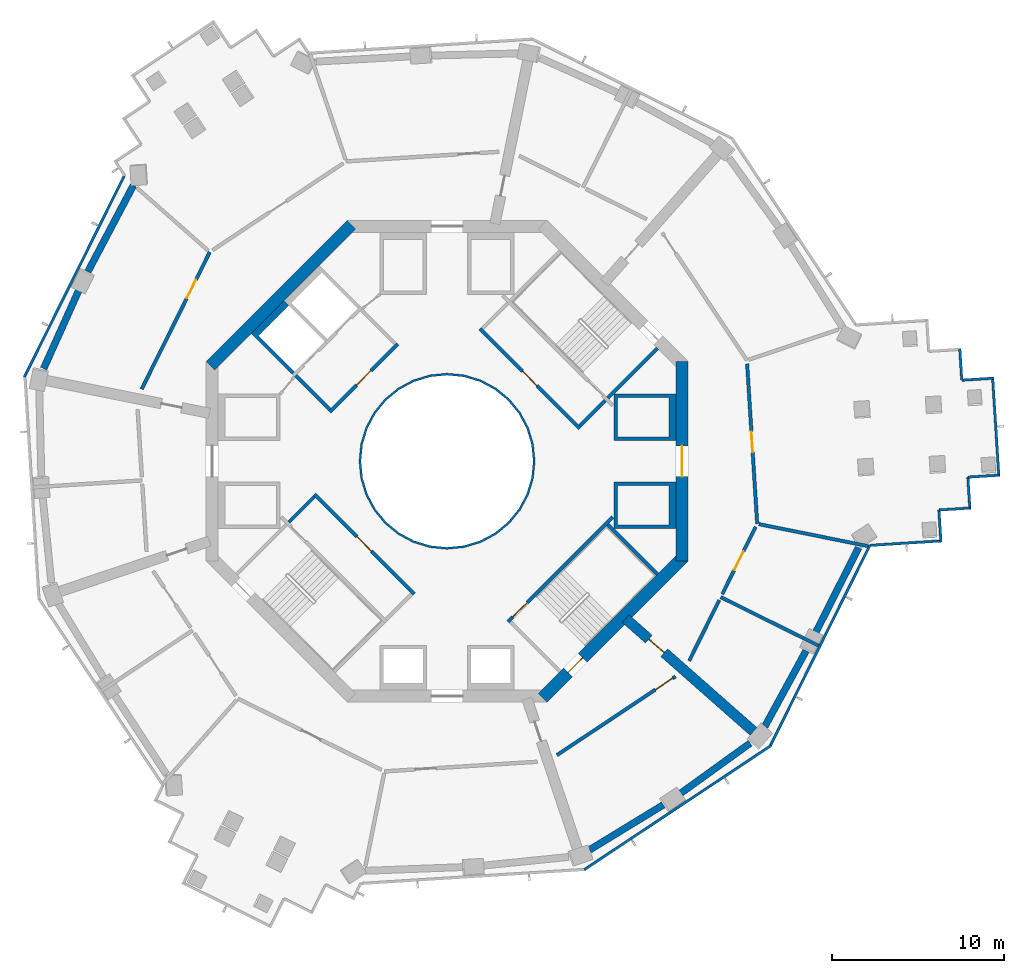
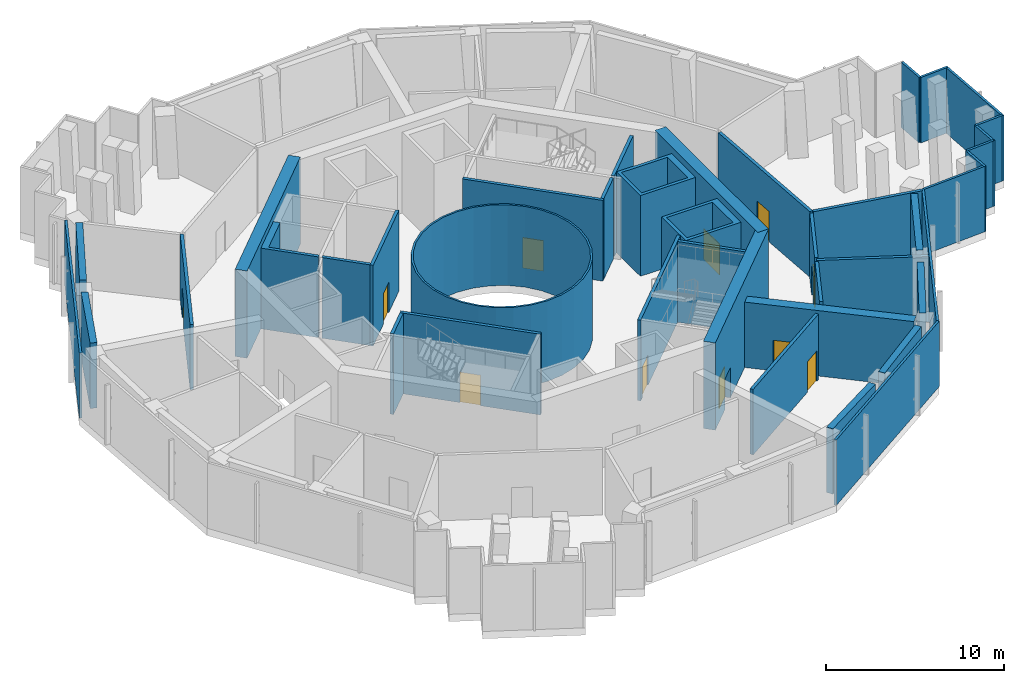
# One storey, part 3 of 16: 41 walls, 11 doors, 11 openings.
"""IFC4 building model written with IfcOpenShell, lengths in metres."""

from ifc_helpers import new_model, si_unit, direction, frame, frame_2d, origin, place, context, subcontext, project, spatial, polyline, rectangle, outline, extrude, material, layer, layer_set, type_object, element, fill, save


model = new_model("IFC4")

# Units and contexts
model_context = context("Model", 3, precision=1e-05, world=origin(), true_north=direction((0.0, 1.0)))
body_context = subcontext(model_context, "Body", "Model", "MODEL_VIEW")
ifc_project = project(units=[si_unit("LENGTHUNIT", "METRE"), si_unit("AREAUNIT", "SQUARE_METRE"), si_unit("VOLUMEUNIT", "CUBIC_METRE"), si_unit("PLANEANGLEUNIT", "RADIAN"), si_unit("MASSUNIT", "GRAM", prefix="KILO")], contexts=[model_context])

# Site, building, storey
site_placement = place(None, origin())
site = spatial("IfcSite", under=ifc_project, at=site_placement, CompositionType="ELEMENT")
building_placement = place(site_placement, origin())
building = spatial("IfcBuilding", under=site, at=building_placement, Name="Verdalira Terraces Hotel", CompositionType="ELEMENT")
storey_placement = place(building_placement, frame((0.0, 0.0, 169.0)))
storey = spatial("IfcBuildingStorey", under=building, at=storey_placement, Name="L41", CompositionType="ELEMENT", Elevation=169.0)

# Walls
ifc_material_1 = material(Name="Fire-resisting glass EI 180", Category="glass")
ifc_layer_1 = layer(ifc_material_1, 0.1201171875)
ifc_layer_set_1 = layer_set([ifc_layer_1], Name="Atrium fire screen 120 mm")
wall_type_1 = type_object("IfcWallType", Name="Atrium fire screen 120 mm", PredefinedType="SOLIDWALL", material=ifc_layer_set_1)
wall_1_placement = place(storey_placement, origin())
element("IfcWall", 1, at=wall_1_placement, inside=storey, type_object=wall_type_1, Name="Atrium fire screen", PredefinedType="SOLIDWALL", context=body_context, shape_type="SweptSolid", body=[
    extrude(outline(polyline([(5.021484, -0.998779), (4.730225, -1.959229), (4.25708, -2.844482), (3.620361, -3.620361), (2.844482, -4.25708), (1.959229, -4.730225), (0.998779, -5.021484), (0.0, -5.120117), (-0.998779, -5.021484), (-1.959229, -4.730225), (-2.844482, -4.25708), (-3.620361, -3.620361), (-4.25708, -2.844482), (-4.730225, -1.959229), (-5.021484, -0.998779), (-5.120117, 0.0), (-5.021484, 0.998779), (-4.730225, 1.959229), (-4.25708, 2.844482), (-3.620361, 3.620361), (-2.844482, 4.25708), (-1.959229, 4.730225), (-0.998779, 5.021484), (0.0, 5.120117), (0.998779, 5.021484), (1.959229, 4.730225), (2.844482, 4.25708), (3.620361, 3.620361), (4.25708, 2.844482), (4.730225, 1.959229), (5.021484, 0.998779), (5.120117, 0.0), (5.021484, -0.998779)]), holes=[polyline([(4.903809, 0.975586), (4.619385, 1.91333), (4.157227, 2.777832), (3.5354, 3.5354), (2.777832, 4.157227), (1.91333, 4.619385), (0.975586, 4.903809), (0.0, 5.0), (-0.975586, 4.903809), (-1.91333, 4.619385), (-2.777832, 4.157227), (-3.5354, 3.5354), (-4.157227, 2.777832), (-4.619385, 1.91333), (-4.903809, 0.975586), (-5.0, 0.0), (-4.903809, -0.975586), (-4.619385, -1.91333), (-4.157227, -2.777832), (-3.5354, -3.5354), (-2.777832, -4.157227), (-1.91333, -4.619385), (-0.975586, -4.903809), (0.0, -5.0), (0.975586, -4.903809), (1.91333, -4.619385), (2.777832, -4.157227), (3.5354, -3.5354), (4.157227, -2.777832), (4.619385, -1.91333), (4.903809, -0.975586), (5.0, 0.0), (4.903809, 0.975586)])]), origin(), (0.0, 0.0, 1.0), 5.550049),
])
ifc_material_2 = material(Name="Concrete C70", Category="concrete")
ifc_layer_2 = layer(ifc_material_2, 0.39990234375)
ifc_layer_set_2 = layer_set([ifc_layer_2], Name="Belt wall 400 C70")
wall_type_2 = type_object("IfcWallType", Name="Belt wall 400 C70", PredefinedType="SHEAR", material=ifc_layer_set_2)
wall_2_placement = place(storey_placement, frame((-18.231689, 16.026123, 0.0), z_axis=(0.0, 0.0, 1.0), x_axis=(-0.466316568, -0.884617917, 0.0)))
element("IfcWall", 2, at=wall_2_placement, inside=storey, type_object=wall_type_2, Name="Belt wall BW-41-1", PredefinedType="SHEAR", context=body_context, shape_type="SweptSolid", body=[
    extrude(rectangle(XDim=5.664307, YDim=0.399902, at=frame_2d((2.832031, 0.0))), origin(), (0.0, 0.0, 1.0), 4.5),
])
for number, where, z_axis, x_axis, name in (
    (3, (-21.388916, 9.957275, 0.0), (0.0, 0.0, 1.0), (-0.410002225, -0.912084522, 0.0), "Belt wall BW-41-2"),
    (4, (8.280273, -22.584961, 0.0), (0.0, 0.0, 1.0), (0.85351045, 0.521075726, 0.0), "Belt wall BW-41-9"),
):
    element("IfcWall", number, at=place(storey_placement, frame(where, z_axis=z_axis, x_axis=x_axis)), inside=storey, type_object=wall_type_2, Name=name, PredefinedType="SHEAR", context=body_context, shape_type="SweptSolid", body=[
        extrude(rectangle(XDim=5.013672, YDim=0.399902, at=frame_2d((2.506836, 0.0))), origin(), (0.0, 0.0, 1.0), 4.5),
    ])
for number, where, z_axis, x_axis, name in (
    (5, (13.544678, -19.317627, 0.0), (0.0, 0.0, 1.0), (0.811136088, 0.584857459, 0.0), "Belt wall BW-41-10"),
    (6, (18.463379, -15.418945, 0.0), (0.0, 0.0, 1.0), (0.478603064, 0.878031382, 0.0), "Belt wall BW-41-11"),
):
    element("IfcWall", number, at=place(storey_placement, frame(where, z_axis=z_axis, x_axis=x_axis)), inside=storey, type_object=wall_type_2, Name=name, PredefinedType="SHEAR", context=body_context, shape_type="SweptSolid", body=[
        extrude(rectangle(XDim=5.013916, YDim=0.399902, at=frame_2d((2.506836, 0.0))), origin(), (0.0, 0.0, 1.0), 4.5),
    ])
wall_3_placement = place(storey_placement, frame((21.407227, -9.980957, 0.0), z_axis=(0.0, 0.0, 1.0), x_axis=(0.451171097, 0.892437472, 0.0)))
element("IfcWall", 7, at=wall_3_placement, inside=storey, type_object=wall_type_2, Name="Belt wall BW-41-12", PredefinedType="SHEAR", context=body_context, shape_type="SweptSolid", body=[
    extrude(rectangle(XDim=5.545898, YDim=0.399902, at=frame_2d((2.772949, 0.0))), origin(), (0.0, 0.0, 1.0), 4.5),
])
ifc_material_3 = material(Name="Concrete C50", Category="concrete")
ifc_layer_3 = layer(ifc_material_3, 0.199951171875)
ifc_layer_set_3 = layer_set([ifc_layer_3], Name="Core RC wall 200 C50")
wall_type_3 = type_object("IfcWallType", Name="Core RC wall 200 C50", PredefinedType="SOLIDWALL", material=ifc_layer_set_3)
wall_4_placement = place(storey_placement, origin())
element("IfcWall", 8, at=wall_4_placement, inside=storey, type_object=wall_type_3, Name="L41 shaft wall E1", PredefinedType="SOLIDWALL", context=body_context, shape_type="SweptSolid", body=[
    extrude(outline(polyline([(13.300049, -1.199951), (13.300049, -3.899902), (9.699951, -3.899902), (9.699951, -1.199951), (13.300049, -1.199951)]), holes=[polyline([(9.899902, -3.699951), (12.899902, -3.699951), (12.899902, -1.399902), (9.899902, -1.399902), (9.899902, -3.699951)])]), origin(), (0.0, 0.0, 1.0), 5.550049),
])
wall_5_placement = place(storey_placement, origin())
element("IfcWall", 9, at=wall_5_placement, inside=storey, type_object=wall_type_3, Name="L41 shaft wall E2", PredefinedType="SOLIDWALL", context=body_context, shape_type="SweptSolid", body=[
    extrude(outline(polyline([(9.699951, 3.899902), (13.300049, 3.899902), (13.300049, 1.199951), (9.699951, 1.199951), (9.699951, 3.899902)]), holes=[polyline([(12.899902, 1.399902), (12.899902, 3.699951), (9.899902, 3.699951), (9.899902, 1.399902), (12.899902, 1.399902)])]), origin(), (0.0, 0.0, 1.0), 5.550049),
])
wall_6_placement = place(storey_placement, origin())
element("IfcWall", 10, at=wall_6_placement, inside=storey, type_object=wall_type_3, Name="L41 shaft wall F2", PredefinedType="SOLIDWALL", context=body_context, shape_type="SweptSolid", body=[
    extrude(outline(polyline([(-11.384521, 7.424561), (-9.475098, 9.33374), (-9.192383, 9.051025), (-10.960205, 7.283203), (-8.874268, 5.197266), (-9.015625, 5.055908), (-11.384521, 7.424561)])), origin(), (0.0, 0.0, 1.0), 5.550049),
])
wall_7_placement = place(storey_placement, frame((9.33374, 3.677002, 0.0), z_axis=(0.0, 0.0, 1.0), x_axis=(0.707106781, 0.707106781, 0.0)))
element("IfcWall", 11, at=wall_7_placement, inside=storey, type_object=wall_type_3, Name="L41 stair ST1 end wall 1", PredefinedType="SOLIDWALL", context=body_context, shape_type="SweptSolid", body=[
    extrude(rectangle(XDim=4.100098, YDim=0.199951, at=frame_2d((2.050049, 0.0))), origin(), (0.0, 0.0, 1.0), 5.550049),
])

# Wall, opening, door
wall_8_placement = place(storey_placement, frame((9.629395, -3.23999, 0.0), z_axis=(0.0, 0.0, 1.0), x_axis=(-0.707120946, -0.707092617, 0.0)))
wall_8 = element("IfcWall", 12, at=wall_8_placement, inside=storey, type_object=wall_type_3, Name="L41 stair ST3 front wall", PredefinedType="SOLIDWALL", context=body_context, shape_type="SweptSolid", body=[
    extrude(rectangle(XDim=8.61792, YDim=0.199951, at=frame_2d((4.309082, 0.0))), origin(), (0.0, 0.0, 1.0), 5.550049),
])
opening_1_placement = place(wall_8_placement, frame((7.017822, 0.0, 0.0)))
opening_1 = element("IfcOpeningElement", 13, at=opening_1_placement, cuts=wall_8, Name="Opening L41-805", PredefinedType="OPENING", context=body_context, shape_type="SweptSolid", body=[
    extrude(rectangle(XDim=1.199951, YDim=2.100098, at=frame_2d((0.600098, 1.050049))), frame((0.0, 0.109863, 0.0), z_axis=(0.0, -1.0, 0.0), x_axis=(1.0, 0.0, 0.0)), (0.0, 0.0, 1.0), 0.219971),
])
ifc_material_4 = material(Name="Steel fire door", Category="steel")
door_type_1 = type_object("IfcDoorType", Name="Stair door 1200 x 2100", OperationType="NOTDEFINED", PredefinedType="DOOR", material=ifc_material_4)
door_1_placement = place(opening_1_placement, origin())
door_1 = element("IfcDoor", 14, at=door_1_placement, inside=storey, type_object=door_type_1, Name="Stair door ST3 L41", OperationType="SINGLE_SWING_RIGHT", OverallHeight=2.10009765625, OverallWidth=1.199951171875, PredefinedType="DOOR", context=body_context, shape_type="SweptSolid", body=[
    extrude(rectangle(XDim=1.199951, YDim=2.100098, at=frame_2d((0.600098, 1.050049))), frame((0.0, 0.024902, 0.0), z_axis=(0.0, -1.0, 0.0), x_axis=(1.0, 0.0, 0.0)), (0.0, 0.0, 1.0), 0.050049),
])
fill(opening_1, door_1)

# Wall
wall_9_placement = place(storey_placement, frame((9.33374, -3.677002, 0.0), z_axis=(0.0, 0.0, 1.0), x_axis=(0.707106781, -0.707106781, 0.0)))
element("IfcWall", 15, at=wall_9_placement, inside=storey, type_object=wall_type_3, Name="L41 stair ST3 end wall 2", PredefinedType="SOLIDWALL", context=body_context, shape_type="SweptSolid", body=[
    extrude(rectangle(XDim=4.100098, YDim=0.199951, at=frame_2d((2.050049, 0.0))), origin(), (0.0, 0.0, 1.0), 5.550049),
])

# Wall, opening, door
wall_10_placement = place(storey_placement, frame((-2.86377, 6.823486, 0.0), z_axis=(0.0, 0.0, 1.0), x_axis=(-0.707106781, -0.707106781, 0.0)))
wall_10 = element("IfcWall", 16, at=wall_10_placement, inside=storey, type_object=wall_type_3, Name="L41 fire lobby wall", PredefinedType="SOLIDWALL", context=body_context, shape_type="SweptSolid", body=[
    extrude(rectangle(XDim=5.599854, YDim=0.199951, at=frame_2d((2.799805, 0.0))), origin(), (0.0, 0.0, 1.0), 5.550049),
])
opening_2_placement = place(wall_10_placement, frame((2.199951, 0.0, 0.0)))
opening_2 = element("IfcOpeningElement", 17, at=opening_2_placement, cuts=wall_10, Name="Opening L41-813", PredefinedType="OPENING", context=body_context, shape_type="SweptSolid", body=[
    extrude(rectangle(XDim=1.199951, YDim=2.100098, at=frame_2d((0.600098, 1.050049))), frame((0.0, 0.109863, 0.0), z_axis=(0.0, -1.0, 0.0), x_axis=(1.0, 0.0, 0.0)), (0.0, 0.0, 1.0), 0.219971),
])
ifc_material_5 = material(Name="Steel fire door", Category="steel")
door_type_2 = type_object("IfcDoorType", Name="Lobby door 1200 x 2100", OperationType="NOTDEFINED", PredefinedType="DOOR", material=ifc_material_5)
door_2_placement = place(opening_2_placement, origin())
door_2 = element("IfcDoor", 18, at=door_2_placement, inside=storey, type_object=door_type_2, Name="Fire lobby door L41", OperationType="SINGLE_SWING_LEFT", OverallHeight=2.10009765625, OverallWidth=1.199951171875, PredefinedType="DOOR", context=body_context, shape_type="SweptSolid", body=[
    extrude(rectangle(XDim=1.199951, YDim=2.100098, at=frame_2d((0.600098, 1.050049))), frame((0.0, 0.024902, 0.0), z_axis=(0.0, -1.0, 0.0), x_axis=(1.0, 0.0, 0.0)), (0.0, 0.0, 1.0), 0.050049),
])
fill(opening_2, door_2)

# Wall
wall_11_placement = place(storey_placement, frame((-6.823486, 3.005127, 0.0), z_axis=(0.0, 0.0, 1.0), x_axis=(-0.707106781, 0.707106781, 0.0)))
element("IfcWall", 19, at=wall_11_placement, inside=storey, type_object=wall_type_3, Name="L41 fire lobby wall", PredefinedType="SOLIDWALL", context=body_context, shape_type="SweptSolid", body=[
    extrude(rectangle(XDim=2.800049, YDim=0.199951, at=frame_2d((1.399902, 0.0))), origin(), (0.0, 0.0, 1.0), 5.550049),
])

# Wall, opening, door
wall_12_placement = place(storey_placement, frame((7.70752, 1.90918, 0.0), z_axis=(0.0, 0.0, 1.0), x_axis=(-0.707106781, 0.707106781, 0.0)))
wall_12 = element("IfcWall", 20, at=wall_12_placement, inside=storey, type_object=wall_type_3, Name="Stair lobby wall ST1 L41", PredefinedType="SOLIDWALL", context=body_context, shape_type="SweptSolid", body=[
    extrude(rectangle(XDim=8.200195, YDim=0.199951, at=frame_2d((4.100098, 0.0))), origin(), (0.0, 0.0, 1.0), 5.550049),
])
opening_3_placement = place(wall_12_placement, frame((3.5, 0.0, 0.0)))
opening_3 = element("IfcOpeningElement", 21, at=opening_3_placement, cuts=wall_12, Name="Opening L41-816", PredefinedType="OPENING", context=body_context, shape_type="SweptSolid", body=[
    extrude(rectangle(XDim=1.199951, YDim=2.100098, at=frame_2d((0.600098, 1.050049))), frame((0.0, 0.109863, 0.0), z_axis=(0.0, -1.0, 0.0), x_axis=(1.0, 0.0, 0.0)), (0.0, 0.0, 1.0), 0.219971),
])
door_3_placement = place(opening_3_placement, origin())
door_3 = element("IfcDoor", 22, at=door_3_placement, inside=storey, type_object=door_type_2, Name="Door L41 lobbyST1", OperationType="SINGLE_SWING_LEFT", OverallHeight=2.10009765625, OverallWidth=1.199951171875, PredefinedType="DOOR", context=body_context, shape_type="SweptSolid", body=[
    extrude(rectangle(XDim=1.199951, YDim=2.100098, at=frame_2d((0.600098, 1.050049))), frame((0.0, 0.024902, 0.0), z_axis=(0.0, -1.0, 0.0), x_axis=(1.0, 0.0, 0.0)), (0.0, 0.0, 1.0), 0.050049),
])
fill(opening_3, door_3)

# Wall
wall_13_placement = place(storey_placement, frame((7.70752, 2.050537, 0.0), z_axis=(0.0, 0.0, 1.0), x_axis=(0.707106781, 0.707106781, 0.0)))
element("IfcWall", 23, at=wall_13_placement, inside=storey, type_object=wall_type_3, Name="Stair lobby wall ST1 L41", PredefinedType="SOLIDWALL", context=body_context, shape_type="SweptSolid", body=[
    extrude(rectangle(XDim=2.099854, YDim=0.199951, at=frame_2d((1.049805, 0.0))), origin(), (0.0, 0.0, 1.0), 5.550049),
])

# Wall, opening, door
wall_14_placement = place(storey_placement, frame((-7.70752, -1.90918, 0.0), z_axis=(0.0, 0.0, 1.0), x_axis=(0.707106781, -0.707106781, 0.0)))
wall_14 = element("IfcWall", 24, at=wall_14_placement, inside=storey, type_object=wall_type_3, Name="Stair lobby wall ST2 L41", PredefinedType="SOLIDWALL", context=body_context, shape_type="SweptSolid", body=[
    extrude(rectangle(XDim=8.200195, YDim=0.199951, at=frame_2d((4.100098, 0.0))), origin(), (0.0, 0.0, 1.0), 5.550049),
])
opening_4_placement = place(wall_14_placement, frame((3.5, 0.0, 0.0)))
opening_4 = element("IfcOpeningElement", 25, at=opening_4_placement, cuts=wall_14, Name="Opening L41-817", PredefinedType="OPENING", context=body_context, shape_type="SweptSolid", body=[
    extrude(rectangle(XDim=1.199951, YDim=2.100098, at=frame_2d((0.600098, 1.050049))), frame((0.0, 0.109863, 0.0), z_axis=(0.0, -1.0, 0.0), x_axis=(1.0, 0.0, 0.0)), (0.0, 0.0, 1.0), 0.219971),
])
door_4_placement = place(opening_4_placement, origin())
door_4 = element("IfcDoor", 26, at=door_4_placement, inside=storey, type_object=door_type_2, Name="Door L41 lobbyST2", OperationType="SINGLE_SWING_LEFT", OverallHeight=2.10009765625, OverallWidth=1.199951171875, PredefinedType="DOOR", context=body_context, shape_type="SweptSolid", body=[
    extrude(rectangle(XDim=1.199951, YDim=2.100098, at=frame_2d((0.600098, 1.050049))), frame((0.0, 0.024902, 0.0), z_axis=(0.0, -1.0, 0.0), x_axis=(1.0, 0.0, 0.0)), (0.0, 0.0, 1.0), 0.050049),
])
fill(opening_4, door_4)

# Wall
wall_15_placement = place(storey_placement, frame((-7.70752, -2.050537, 0.0), z_axis=(0.0, 0.0, 1.0), x_axis=(-0.707106781, -0.707106781, 0.0)))
element("IfcWall", 27, at=wall_15_placement, inside=storey, type_object=wall_type_3, Name="Stair lobby wall ST2 L41", PredefinedType="SOLIDWALL", context=body_context, shape_type="SweptSolid", body=[
    extrude(rectangle(XDim=2.099854, YDim=0.199951, at=frame_2d((1.049805, 0.0))), origin(), (0.0, 0.0, 1.0), 5.550049),
])

# Wall, opening, door
ifc_material_6 = material(Name="Concrete C60", Category="concrete")
ifc_layer_4 = layer(ifc_material_6, 0.699951171875)
ifc_layer_set_4 = layer_set([ifc_layer_4], Name="Core wall 700 C60")
wall_type_4 = type_object("IfcWallType", Name="Core wall 700 C60", PredefinedType="SHEAR", material=ifc_layer_set_4)
wall_16_placement = place(storey_placement, frame((13.649902, -5.799072, 0.0), z_axis=(0.0, 0.0, 1.0), x_axis=(0.0, 1.0, 0.0)))
wall_16 = element("IfcWall", 28, at=wall_16_placement, inside=storey, type_object=wall_type_4, Name="Core wall CW-L41-1", PredefinedType="SHEAR", context=body_context, shape_type="SweptSolid", body=[
    extrude(rectangle(XDim=11.598145, YDim=0.699951, at=frame_2d((5.799072, 0.0))), origin(), (0.0, 0.0, 1.0), 6.0),
])
opening_5_placement = place(wall_16_placement, frame((4.898926, 0.0, 0.0)))
opening_5 = element("IfcOpeningElement", 29, at=opening_5_placement, cuts=wall_16, Name="Opening L41-806", PredefinedType="OPENING", context=body_context, shape_type="SweptSolid", body=[
    extrude(rectangle(XDim=1.800049, YDim=2.100098, at=frame_2d((0.899902, 1.050049))), frame((0.0, 0.359863, 0.0), z_axis=(0.0, -1.0, 0.0), x_axis=(1.0, 0.0, 0.0)), (0.0, 0.0, 1.0), 0.719971),
])
ifc_material_7 = material(Name="Steel fire door", Category="steel")
door_type_3 = type_object("IfcDoorType", Name="Core entry door pair 1800 x 2100", OperationType="NOTDEFINED", PredefinedType="DOOR", material=ifc_material_7)
door_5_placement = place(opening_5_placement, origin())
door_5 = element("IfcDoor", 30, at=door_5_placement, inside=storey, type_object=door_type_3, Name="Core entry door L41 0", OperationType="DOUBLE_DOOR_SINGLE_SWING", OverallHeight=2.10009765625, OverallWidth=1.800048828125, PredefinedType="DOOR", context=body_context, shape_type="SweptSolid", body=[
    extrude(rectangle(XDim=1.800049, YDim=2.100098, at=frame_2d((0.899902, 1.050049))), frame((0.0, 0.024902, 0.0), z_axis=(0.0, -1.0, 0.0), x_axis=(1.0, 0.0, 0.0)), (0.0, 0.0, 1.0), 0.050049),
])
fill(opening_5, door_5)

# Wall
wall_17_placement = place(storey_placement, frame((-5.551514, 13.752441, 0.0), z_axis=(0.0, 0.0, 1.0), x_axis=(-0.707106781, -0.707106781, 0.0)))
element("IfcWall", 31, at=wall_17_placement, inside=storey, type_object=wall_type_4, Name="Core wall CW-L41-4", PredefinedType="SHEAR", context=body_context, shape_type="SweptSolid", body=[
    extrude(rectangle(XDim=11.5979, YDim=0.699951, at=frame_2d((5.798828, 0.0))), origin(), (0.0, 0.0, 1.0), 6.0),
])

# Wall, opening, door
wall_18_placement = place(storey_placement, frame((5.551514, -13.752441, 0.0), z_axis=(0.0, 0.0, 1.0), x_axis=(0.707106781, 0.707106781, 0.0)))
wall_18 = element("IfcWall", 32, at=wall_18_placement, inside=storey, type_object=wall_type_4, Name="Core wall CW-L41-8", PredefinedType="SHEAR", context=body_context, shape_type="SweptSolid", body=[
    extrude(rectangle(XDim=11.5979, YDim=0.699951, at=frame_2d((5.798828, 0.0))), origin(), (0.0, 0.0, 1.0), 6.0),
])
opening_6_placement = place(wall_18_placement, frame((2.099121, 0.0, 0.0)))
opening_6 = element("IfcOpeningElement", 33, at=opening_6_placement, cuts=wall_18, Name="Opening L41-812", PredefinedType="OPENING", context=body_context, shape_type="SweptSolid", body=[
    extrude(rectangle(XDim=1.199951, YDim=2.100098, at=frame_2d((0.600098, 1.050049))), frame((0.0, 0.359863, 0.0), z_axis=(0.0, -1.0, 0.0), x_axis=(1.0, 0.0, 0.0)), (0.0, 0.0, 1.0), 0.719971),
])
door_6_placement = place(opening_6_placement, origin())
door_6 = element("IfcDoor", 34, at=door_6_placement, inside=storey, type_object=door_type_1, Name="Stair exit door ST3 L41", OperationType="SINGLE_SWING_LEFT", OverallHeight=2.10009765625, OverallWidth=1.199951171875, PredefinedType="DOOR", context=body_context, shape_type="SweptSolid", body=[
    extrude(rectangle(XDim=1.199951, YDim=2.100098, at=frame_2d((0.600098, 1.050049))), frame((0.0, 0.024902, 0.0), z_axis=(0.0, -1.0, 0.0), x_axis=(1.0, 0.0, 0.0)), (0.0, 0.0, 1.0), 0.050049),
])
fill(opening_6, door_6)

ifc_material_8 = material(Name="Concrete C70", Category="concrete")
ifc_layer_5 = layer(ifc_material_8, 0.60009765625)
ifc_layer_set_5 = layer_set([ifc_layer_5], Name="Outrigger wall 600 C70")
wall_type_5 = type_object("IfcWallType", Name="Outrigger wall 600 C70", PredefinedType="SHEAR", material=ifc_layer_set_5)
wall_19_placement = place(storey_placement, frame((10.372314, -9.144287, 0.0), z_axis=(0.0, 0.0, 1.0), x_axis=(0.750095767, -0.661329223, 0.0)))
wall_19 = element("IfcWall", 35, at=wall_19_placement, inside=storey, type_object=wall_type_5, Name="Outrigger wall OW-41-4", PredefinedType="SHEAR", context=body_context, shape_type="SweptSolid", body=[
    extrude(rectangle(XDim=9.915039, YDim=0.600098, at=frame_2d((4.95752, 0.0))), origin(), (0.0, 0.0, 1.0), 4.5),
])
opening_7_placement = place(wall_19_placement, frame((1.800049, 0.0, 0.0)))
opening_7 = element("IfcOpeningElement", 36, at=opening_7_placement, cuts=wall_19, Name="Opening L41-104", PredefinedType="OPENING", context=body_context, shape_type="SweptSolid", body=[
    extrude(rectangle(XDim=1.199951, YDim=2.100098, at=frame_2d((0.600098, 1.050049))), frame((0.0, 0.310059, 0.0), z_axis=(0.0, -1.0, 0.0), x_axis=(1.0, 0.0, 0.0)), (0.0, 0.0, 1.0), 0.620117),
])
ifc_material_9 = material(Name="Steel fire door", Category="steel")
door_type_4 = type_object("IfcDoorType", Name="Plant room door 1200 x 2100", OperationType="NOTDEFINED", PredefinedType="DOOR", material=ifc_material_9)
door_7_placement = place(opening_7_placement, origin())
door_7 = element("IfcDoor", 37, at=door_7_placement, inside=storey, type_object=door_type_4, Name="Plant room door", OperationType="SINGLE_SWING_LEFT", OverallHeight=2.10009765625, OverallWidth=1.199951171875, PredefinedType="DOOR", context=body_context, shape_type="SweptSolid", body=[
    extrude(rectangle(XDim=1.199951, YDim=2.100098, at=frame_2d((0.600098, 1.050049))), frame((0.0, 0.024902, 0.0), z_axis=(0.0, -1.0, 0.0), x_axis=(1.0, 0.0, 0.0)), (0.0, 0.0, 1.0), 0.050049),
])
fill(opening_7, door_7)

ifc_material_10 = material(Name="Fire-rated concrete block wall", Category="concrete")
ifc_layer_6 = layer(ifc_material_10, 0.199951171875)
ifc_layer_set_6 = layer_set([ifc_layer_6], Name="Plant room wall 200 mm")
wall_type_6 = type_object("IfcWallType", Name="Plant room wall 200 mm", PredefinedType="SOLIDWALL", material=ifc_layer_set_6)
wall_20_placement = place(storey_placement, frame((-17.745605, 4.190918, 0.0), z_axis=(0.0, 0.0, 1.0), x_axis=(0.444653636, 0.895702598, 0.0)))
wall_20 = element("IfcWall", 38, at=wall_20_placement, inside=storey, type_object=wall_type_6, Name="Plant room wall", PredefinedType="SOLIDWALL", context=body_context, shape_type="SweptSolid", body=[
    extrude(rectangle(XDim=8.894775, YDim=0.199951, at=frame_2d((4.447266, 0.0))), origin(), (0.0, 0.0, 1.0), 4.5),
])
opening_8_placement = place(wall_20_placement, frame((5.899902, 0.0, 0.0)))
opening_8 = element("IfcOpeningElement", 39, at=opening_8_placement, cuts=wall_20, Name="Opening L41-108", PredefinedType="OPENING", context=body_context, shape_type="SweptSolid", body=[
    extrude(rectangle(XDim=1.199951, YDim=2.100098, at=frame_2d((0.600098, 1.050049))), frame((0.0, 0.109863, 0.0), z_axis=(0.0, -1.0, 0.0), x_axis=(1.0, 0.0, 0.0)), (0.0, 0.0, 1.0), 0.219971),
])
door_8_placement = place(opening_8_placement, origin())
door_8 = element("IfcDoor", 40, at=door_8_placement, inside=storey, type_object=door_type_4, Name="Plant room door 4102", OperationType="SINGLE_SWING_LEFT", OverallHeight=2.10009765625, OverallWidth=1.199951171875, PredefinedType="DOOR", context=body_context, shape_type="SweptSolid", body=[
    extrude(rectangle(XDim=1.199951, YDim=2.100098, at=frame_2d((0.600098, 1.050049))), frame((0.0, 0.024902, 0.0), z_axis=(0.0, -1.0, 0.0), x_axis=(1.0, 0.0, 0.0)), (0.0, 0.0, 1.0), 0.050049),
])
fill(opening_8, door_8)

wall_21_placement = place(storey_placement, frame((13.272705, -12.502197, 0.0), z_axis=(0.0, 0.0, 1.0), x_axis=(-0.832920887, -0.553392082, 0.0)))
wall_21 = element("IfcWall", 41, at=wall_21_placement, inside=storey, type_object=wall_type_6, Name="Plant room wall", PredefinedType="SOLIDWALL", context=body_context, shape_type="SweptSolid", body=[
    extrude(rectangle(XDim=8.273682, YDim=0.199951, at=frame_2d((4.136719, 0.0))), origin(), (0.0, 0.0, 1.0), 4.5),
])
opening_9_placement = place(wall_21_placement, frame((0.199951, 0.0, 0.0)))
opening_9 = element("IfcOpeningElement", 42, at=opening_9_placement, cuts=wall_21, Name="Opening L41-113", PredefinedType="OPENING", context=body_context, shape_type="SweptSolid", body=[
    extrude(rectangle(XDim=1.199951, YDim=2.100098, at=frame_2d((0.600098, 1.050049))), frame((0.0, 0.109863, 0.0), z_axis=(0.0, -1.0, 0.0), x_axis=(1.0, 0.0, 0.0)), (0.0, 0.0, 1.0), 0.219971),
])
door_9_placement = place(opening_9_placement, origin())
door_9 = element("IfcDoor", 43, at=door_9_placement, inside=storey, type_object=door_type_4, Name="Plant room door 4107", OperationType="SINGLE_SWING_LEFT", OverallHeight=2.10009765625, OverallWidth=1.199951171875, PredefinedType="DOOR", context=body_context, shape_type="SweptSolid", body=[
    extrude(rectangle(XDim=1.199951, YDim=2.100098, at=frame_2d((0.600098, 1.050049))), frame((0.0, 0.024902, 0.0), z_axis=(0.0, -1.0, 0.0), x_axis=(1.0, 0.0, 0.0)), (0.0, 0.0, 1.0), 0.050049),
])
fill(opening_9, door_9)

# Wall
wall_22_placement = place(storey_placement, frame((14.067139, -11.601318, 0.0), z_axis=(0.0, 0.0, 1.0), x_axis=(0.444606944, 0.895725776, 0.0)))
element("IfcWall", 44, at=wall_22_placement, inside=storey, type_object=wall_type_6, Name="Plant room wall", PredefinedType="SOLIDWALL", context=body_context, shape_type="SweptSolid", body=[
    extrude(rectangle(XDim=3.936523, YDim=0.199951, at=frame_2d((1.968262, 0.0))), origin(), (0.0, 0.0, 1.0), 4.5),
])

# Wall, opening, door
wall_23_placement = place(storey_placement, frame((17.933105, -3.812988, 0.0), z_axis=(0.0, 0.0, 1.0), x_axis=(-0.444612486, -0.895723025, 0.0)))
wall_23 = element("IfcWall", 45, at=wall_23_placement, inside=storey, type_object=wall_type_6, Name="Plant room wall", PredefinedType="SOLIDWALL", context=body_context, shape_type="SweptSolid", body=[
    extrude(rectangle(XDim=4.358398, YDim=0.199951, at=frame_2d((2.179199, 0.0))), origin(), (0.0, 0.0, 1.0), 4.5),
])
opening_10_placement = place(wall_23_placement, frame((1.600098, 0.0, 0.0)))
opening_10 = element("IfcOpeningElement", 46, at=opening_10_placement, cuts=wall_23, Name="Opening L41-114", PredefinedType="OPENING", context=body_context, shape_type="SweptSolid", body=[
    extrude(rectangle(XDim=1.199951, YDim=2.100098, at=frame_2d((0.600098, 1.050049))), frame((0.0, 0.109863, 0.0), z_axis=(0.0, -1.0, 0.0), x_axis=(1.0, 0.0, 0.0)), (0.0, 0.0, 1.0), 0.219971),
])
door_10_placement = place(opening_10_placement, origin())
door_10 = element("IfcDoor", 47, at=door_10_placement, inside=storey, type_object=door_type_4, Name="Plant room door 4108", OperationType="SINGLE_SWING_LEFT", OverallHeight=2.10009765625, OverallWidth=1.199951171875, PredefinedType="DOOR", context=body_context, shape_type="SweptSolid", body=[
    extrude(rectangle(XDim=1.199951, YDim=2.100098, at=frame_2d((0.600098, 1.050049))), frame((0.0, 0.024902, 0.0), z_axis=(0.0, -1.0, 0.0), x_axis=(1.0, 0.0, 0.0)), (0.0, 0.0, 1.0), 0.050049),
])
fill(opening_10, door_10)

wall_24_placement = place(storey_placement, frame((17.437012, 5.664307, 0.0), z_axis=(0.0, 0.0, 1.0), x_axis=(0.062813878, -0.998025259, 0.0)))
wall_24 = element("IfcWall", 48, at=wall_24_placement, inside=storey, type_object=wall_type_6, Name="Plant room wall", PredefinedType="SOLIDWALL", context=body_context, shape_type="SweptSolid", body=[
    extrude(rectangle(XDim=9.316406, YDim=0.199951, at=frame_2d((4.658203, 0.0))), origin(), (0.0, 0.0, 1.0), 4.5),
])
opening_11_placement = place(wall_24_placement, frame((3.949951, 0.0, 0.0)))
opening_11 = element("IfcOpeningElement", 49, at=opening_11_placement, cuts=wall_24, Name="Opening L41-115", PredefinedType="OPENING", context=body_context, shape_type="SweptSolid", body=[
    extrude(rectangle(XDim=1.199951, YDim=2.100098, at=frame_2d((0.600098, 1.050049))), frame((0.0, 0.109863, 0.0), z_axis=(0.0, -1.0, 0.0), x_axis=(1.0, 0.0, 0.0)), (0.0, 0.0, 1.0), 0.219971),
])
door_11_placement = place(opening_11_placement, origin())
door_11 = element("IfcDoor", 50, at=door_11_placement, inside=storey, type_object=door_type_4, Name="Plant room door 4109", OperationType="SINGLE_SWING_LEFT", OverallHeight=2.10009765625, OverallWidth=1.199951171875, PredefinedType="DOOR", context=body_context, shape_type="SweptSolid", body=[
    extrude(rectangle(XDim=1.199951, YDim=2.100098, at=frame_2d((0.600098, 1.050049))), frame((0.0, 0.024902, 0.0), z_axis=(0.0, -1.0, 0.0), x_axis=(1.0, 0.0, 0.0)), (0.0, 0.0, 1.0), 0.050049),
])
fill(opening_11, door_11)

# Walls
wall_25_placement = place(storey_placement, frame((15.906494, -7.895996, 0.0), z_axis=(0.0, 0.0, 1.0), x_axis=(0.895700043, -0.444658783, 0.0)))
element("IfcWall", 51, at=wall_25_placement, inside=storey, type_object=wall_type_6, Name="Plant room wall", PredefinedType="SOLIDWALL", context=body_context, shape_type="SweptSolid", body=[
    extrude(rectangle(XDim=6.349854, YDim=0.199951, at=frame_2d((3.174805, 0.0))), origin(), (0.0, 0.0, 1.0), 4.5),
])
wall_26_placement = place(storey_placement, frame((18.123535, -3.654297, 0.0), z_axis=(0.0, 0.0, 1.0), x_axis=(0.980269138, -0.197667439, 0.0)))
element("IfcWall", 52, at=wall_26_placement, inside=storey, type_object=wall_type_6, Name="Plant room wall", PredefinedType="SOLIDWALL", context=body_context, shape_type="SweptSolid", body=[
    extrude(rectangle(XDim=6.475586, YDim=0.199951, at=frame_2d((3.237793, 0.0))), origin(), (0.0, 0.0, 1.0), 4.5),
])
ifc_material_11 = material(Name="Terracotta cladding", Category="masonry")
ifc_layer_7 = layer(ifc_material_11, 0.14990234375)
ifc_layer_set_7 = layer_set([ifc_layer_7], Name="Terracotta clad wall 150")
wall_type_7 = type_object("IfcWallType", Name="Terracotta clad wall 150", PredefinedType="SOLIDWALL", material=ifc_layer_set_7)
wall_27_placement = place(storey_placement, frame((-18.766113, 16.585205, 0.0), z_axis=(0.0, 0.0, 1.0), x_axis=(-0.444629289, -0.895714684, 0.0)))
element("IfcWall", 53, at=wall_27_placement, inside=storey, type_object=wall_type_7, Name="Terracotta cladding wall", PredefinedType="SOLIDWALL", context=body_context, shape_type="SweptSolid", body=[
    extrude(rectangle(XDim=13.046387, YDim=0.149902, at=frame_2d((6.523193, 0.0))), origin(), (0.0, 0.0, 1.0), 4.5),
])
wall_28_placement = place(storey_placement, frame((7.96875, -23.739746, 0.0), z_axis=(0.0, 0.0, 1.0), x_axis=(0.83293386, 0.553372555, 0.0)))
element("IfcWall", 54, at=wall_28_placement, inside=storey, type_object=wall_type_7, Name="Terracotta cladding wall", PredefinedType="SOLIDWALL", context=body_context, shape_type="SweptSolid", body=[
    extrude(rectangle(XDim=13.034912, YDim=0.149902, at=frame_2d((6.517578, 0.0))), origin(), (0.0, 0.0, 1.0), 4.5),
])
wall_29_placement = place(storey_placement, frame((18.77124, -16.574951, 0.0), z_axis=(0.0, 0.0, 1.0), x_axis=(0.444627467, 0.895715589, 0.0)))
element("IfcWall", 55, at=wall_29_placement, inside=storey, type_object=wall_type_7, Name="Terracotta cladding wall", PredefinedType="SOLIDWALL", context=body_context, shape_type="SweptSolid", body=[
    extrude(rectangle(XDim=13.074951, YDim=0.149902, at=frame_2d((6.537598, 0.0))), origin(), (0.0, 0.0, 1.0), 4.5),
])
wall_30_placement = place(storey_placement, frame((24.602295, -4.889893, 0.0), z_axis=(0.0, 0.0, 1.0), x_axis=(0.998027727, 0.062774653, 0.0)))
element("IfcWall", 56, at=wall_30_placement, inside=storey, type_object=wall_type_7, Name="Terracotta cladding wall", PredefinedType="SOLIDWALL", context=body_context, shape_type="SweptSolid", body=[
    extrude(rectangle(XDim=4.103027, YDim=0.149902, at=frame_2d((2.051514, 0.0))), origin(), (0.0, 0.0, 1.0), 4.5),
])
wall_31_placement = place(storey_placement, frame((28.701904, -4.707031, 0.0), z_axis=(0.0, 0.0, 1.0), x_axis=(-0.062759273, 0.998028694, 0.0)))
element("IfcWall", 57, at=wall_31_placement, inside=storey, type_object=wall_type_7, Name="Terracotta cladding wall", PredefinedType="SOLIDWALL", context=body_context, shape_type="SweptSolid", body=[
    extrude(rectangle(XDim=1.875, YDim=0.149902, at=frame_2d((0.9375, 0.0))), origin(), (0.0, 0.0, 1.0), 4.5),
])
wall_32_placement = place(storey_placement, frame((28.584229, -2.835693, 0.0), z_axis=(0.0, 0.0, 1.0), x_axis=(0.9980261, 0.062800501, 0.0)))
element("IfcWall", 58, at=wall_32_placement, inside=storey, type_object=wall_type_7, Name="Terracotta cladding wall", PredefinedType="SOLIDWALL", context=body_context, shape_type="SweptSolid", body=[
    extrude(rectangle(XDim=1.800049, YDim=0.149902, at=frame_2d((0.899902, 0.0))), origin(), (0.0, 0.0, 1.0), 4.5),
])
wall_33_placement = place(storey_placement, frame((30.385254, -2.797607, 0.0), z_axis=(0.0, 0.0, 1.0), x_axis=(-0.062759273, 0.998028694, 0.0)))
element("IfcWall", 59, at=wall_33_placement, inside=storey, type_object=wall_type_7, Name="Terracotta cladding wall", PredefinedType="SOLIDWALL", context=body_context, shape_type="SweptSolid", body=[
    extrude(rectangle(XDim=1.875, YDim=0.149902, at=frame_2d((0.9375, 0.0))), origin(), (0.0, 0.0, 1.0), 4.5),
])
wall_34_placement = place(storey_placement, frame((30.267578, -0.92627, 0.0), z_axis=(0.0, 0.0, 1.0), x_axis=(0.9980261, 0.062800501, 0.0)))
element("IfcWall", 60, at=wall_34_placement, inside=storey, type_object=wall_type_7, Name="Terracotta cladding wall", PredefinedType="SOLIDWALL", context=body_context, shape_type="SweptSolid", body=[
    extrude(rectangle(XDim=1.800049, YDim=0.149902, at=frame_2d((0.899902, 0.0))), origin(), (0.0, 0.0, 1.0), 4.5),
])
wall_35_placement = place(storey_placement, frame((32.068848, -0.888184, 0.0), z_axis=(0.0, 0.0, 1.0), x_axis=(-0.062813674, 0.998025271, 0.0)))
element("IfcWall", 61, at=wall_35_placement, inside=storey, type_object=wall_type_7, Name="Terracotta cladding wall", PredefinedType="SOLIDWALL", context=body_context, shape_type="SweptSolid", body=[
    extrude(rectangle(XDim=5.725098, YDim=0.149902, at=frame_2d((2.862549, 0.0))), origin(), (0.0, 0.0, 1.0), 4.5),
])
wall_36_placement = place(storey_placement, frame((31.78418, 4.830322, 0.0), z_axis=(0.0, 0.0, 1.0), x_axis=(-0.998028694, -0.062759273, 0.0)))
element("IfcWall", 62, at=wall_36_placement, inside=storey, type_object=wall_type_7, Name="Terracotta cladding wall", PredefinedType="SOLIDWALL", context=body_context, shape_type="SweptSolid", body=[
    extrude(rectangle(XDim=1.875, YDim=0.149902, at=frame_2d((0.9375, 0.0))), origin(), (0.0, 0.0, 1.0), 4.5),
])
wall_37_placement = place(storey_placement, frame((29.912842, 4.712646, 0.0), z_axis=(0.0, 0.0, 1.0), x_axis=(-0.062800501, 0.9980261, 0.0)))
element("IfcWall", 63, at=wall_37_placement, inside=storey, type_object=wall_type_7, Name="Terracotta cladding wall", PredefinedType="SOLIDWALL", context=body_context, shape_type="SweptSolid", body=[
    extrude(rectangle(XDim=1.800049, YDim=0.149902, at=frame_2d((0.899902, 0.0))), origin(), (0.0, 0.0, 1.0), 4.5),
])

save(model, "model.ifc")
